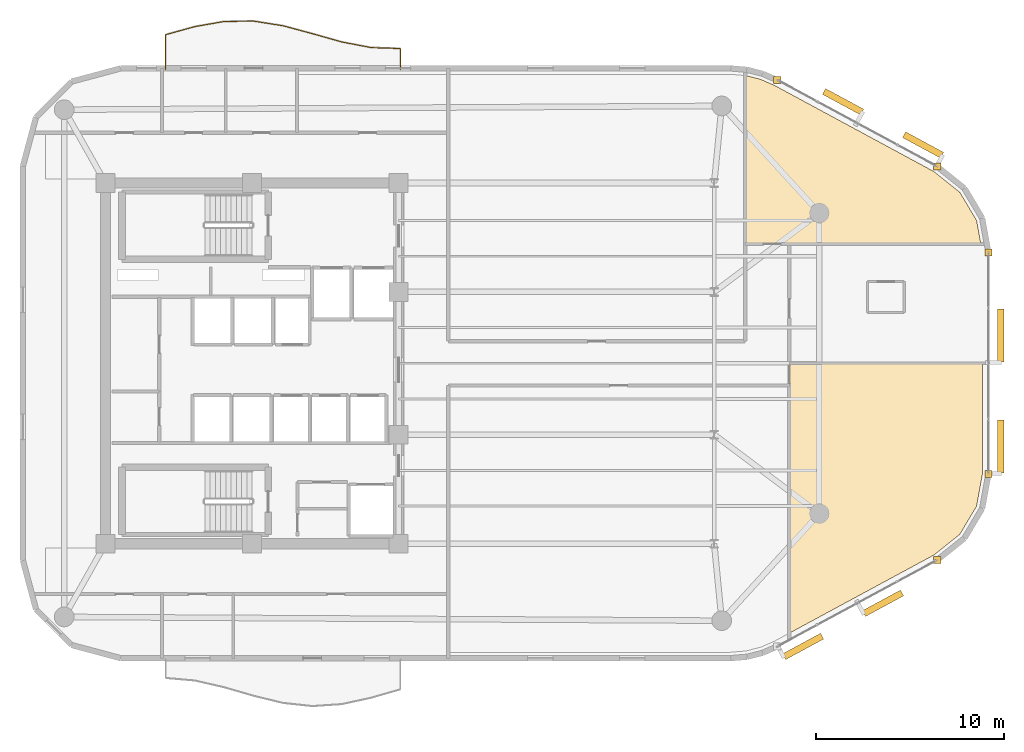
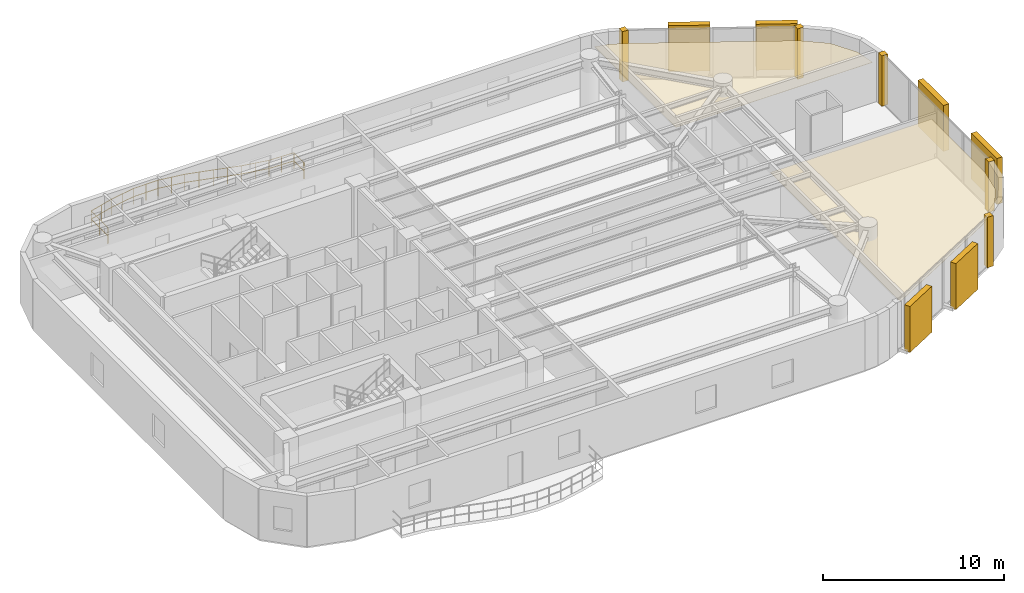
# One storey, part 13 of 13: 7 coverings, 6 shading devices, 1 railing.
"""IFC4 building model written with IfcOpenShell, lengths in metres."""

from ifc_helpers import new_model, si_unit, direction, frame, origin, origin_2d, place, context, subcontext, project, spatial, polyline, rectangle, circle, outline, extrude, material, layer, layer_set, type_object, element, save


model = new_model("IFC4")

# Units and contexts
model_context = context("Model", 3, precision=1e-05, world=origin(), true_north=direction((0.0, 1.0)))
body_context = subcontext(model_context, "Body", "Model", "MODEL_VIEW")
ifc_project = project(units=[si_unit("LENGTHUNIT", "METRE"), si_unit("AREAUNIT", "SQUARE_METRE"), si_unit("VOLUMEUNIT", "CUBIC_METRE"), si_unit("PLANEANGLEUNIT", "RADIAN"), si_unit("MASSUNIT", "GRAM", prefix="KILO")], contexts=[model_context])

# Site, building, storey
site_placement = place(None, origin())
site = spatial("IfcSite", under=ifc_project, at=site_placement, CompositionType="ELEMENT")
building_placement = place(site_placement, origin())
building = spatial("IfcBuilding", under=site, at=building_placement, Name="An Khanh Terracotta Commons", CompositionType="ELEMENT")
storey_placement = place(building_placement, frame((0.0, 0.0, 201.300048828125)))
storey = spatial("IfcBuildingStorey", under=building, at=storey_placement, Name="L52", CompositionType="ELEMENT", Elevation=201.300048828125)

# Coverings
ifc_material_1 = material(Name="Perforated Mineral-Fibre Acoustic Tile")
ifc_layer_1 = layer(ifc_material_1, 0.02001953125, Name="Perforated Mineral-Fibre Acoustic Tile")
ifc_layer_set_1 = layer_set([ifc_layer_1], Name="Perforated Mineral-Fibre Acoustic Tile")
covering_type_1 = type_object("IfcCoveringType", Name="CEIL-ACOUSTIC-18", PredefinedType="CEILING", material=ifc_layer_set_1)
covering_1_placement = place(storey_placement, frame((0.0, 0.0, 2.64990234375)))
element("IfcCovering", 1, at=covering_1_placement, inside=storey, type_object=covering_type_1, Name="L52 Collaborative Study Lounge Ceiling", PredefinedType="CEILING", context=body_context, shape_type="SweptSolid", body=[
    extrude(outline(polyline([(55.68701171875, 39.31201171875), (56.467041015625, 39.114990234375), (57.217041015625, 38.787109375), (65.695068359375, 34.2060546875), (67.074951171875, 33.10205078125), (67.964111328125, 31.610107421875), (68.193115234375, 30.35009765625), (58.0, 30.35009765625), (55.64990234375, 30.35009765625), (55.64990234375, 39.31494140625), (55.68701171875, 39.31201171875)])), origin(), (0.0, 0.0, 1.0), 0.02001953125),
])
covering_2_placement = place(storey_placement, frame((0.0, 0.0, 2.64990234375)))
element("IfcCovering", 2, at=covering_2_placement, inside=storey, type_object=covering_type_1, Name="L52 Collaborative Study Lounge Ceiling", PredefinedType="CEILING", context=body_context, shape_type="SweptSolid", body=[
    extrude(outline(polyline([(68.280029296875, 18.1298828125), (67.964111328125, 16.389892578125), (67.074951171875, 14.89794921875), (65.695068359375, 13.7939453125), (58.0, 9.635986328125), (58.0, 22.820068359375), (58.0, 24.0), (68.280029296875, 24.0), (68.280029296875, 18.1298828125)])), origin(), (0.0, 0.0, 1.0), 0.02001953125),
])
ifc_material_2 = material(Name="Fired Terracotta Rainscreen Cladding", Category="masonry")
ifc_layer_2 = layer(ifc_material_2, 0.080078125, Name="Fired Terracotta Rainscreen Cladding")
ifc_layer_set_2 = layer_set([ifc_layer_2], Name="Fired Terracotta Rainscreen Cladding")
covering_type_2 = type_object("IfcCoveringType", Name="COV-JAMB-TERRA", PredefinedType="CLADDING", material=ifc_layer_set_2)
for number, where, z_axis, x_axis, name in (
    (3, (65.8720703125, 13.52587890625, 0.0), (0.0, 0.0, 1.0), (1.0, 0.0, 0.0), "L52 CW-03 Curtain-Wall Jamb Closure JB"),
    (4, (68.60009765625, 18.10107421875, 0.0), (0.0, 0.0, 1.0), (1.0, 0.0, 0.0), "L52 CW-03 Curtain-Wall Jamb Closure JA"),
    (5, (68.60009765625, 29.89892578125, 0.0), (0.0, 0.0, 1.0), (1.0, 0.0, 0.0), "L52 CW-03 Curtain-Wall Jamb Closure JB"),
    (6, (65.8720703125, 34.47412109375, 0.0), (0.0, 0.0, 1.0), (1.0, 0.0, 0.0), "L52 CW-03 Curtain-Wall Jamb Closure JA"),
    (7, (57.35693359375, 39.074951171875, 0.0), (0.0, 0.0, 1.0), (1.0, 0.0, 0.0), "L52 CW-03 Curtain-Wall Jamb Closure JB"),
):
    element("IfcCovering", number, at=place(storey_placement, frame(where, z_axis=z_axis, x_axis=x_axis)), inside=storey, type_object=covering_type_2, Name=name, PredefinedType="CLADDING", context=body_context, shape_type="SweptSolid", body=[
        extrude(rectangle(XDim=0.3798828125, YDim=0.3798828125, at=origin_2d()), origin(), (0.0, 0.0, 1.0), 3.39990234375),
    ])

# Railing
ifc_material_3 = material(Name="Brushed Stainless Steel 316", Category="steel")
railing_type = type_object("IfcRailingType", Name="RAIL-BALUSTRADE-1100", PredefinedType="BALUSTRADE", material=ifc_material_3)
railing_placement = place(storey_placement, frame((37.300048828125, 39.639892578125, 0.0)))
element("IfcRailing", 8, at=railing_placement, inside=storey, type_object=railing_type, Name="L52 N Wave Balcony Guard Balustrade", PredefinedType="BALUSTRADE", context=body_context, shape_type="SweptSolid", body=[
    extrude(circle(Radius=0.02392578125, at=origin_2d()), frame((0.0, 0.0, 1.076171875), z_axis=(0.0, 1.0, 0.0), x_axis=(-1.0, 0.0, 0.0)), (0.0, 0.0, 1.0), 1.114013671875),
    extrude(circle(Radius=0.02392578125, at=origin_2d()), frame((0.0, 0.0, 0.52587890625), z_axis=(0.0, 1.0, 0.0), x_axis=(-1.0, 0.0, 0.0)), (0.0, 0.0, 1.0), 1.114013671875),
    extrude(circle(Radius=0.02392578125, at=origin_2d()), frame((0.0, 1.114013671875, 1.076171875), z_axis=(-0.999487713911, 0.032004839324, 0.0), x_axis=(-0.032004839324, -0.999487713911, 0.0)), (0.0, 0.0, 1.0), 1.563720703125),
    extrude(circle(Radius=0.02392578125, at=origin_2d()), frame((0.0, 1.114013671875, 0.52587890625), z_axis=(-0.999487713911, 0.032004839324, 0.0), x_axis=(-0.032004839324, -0.999487713911, 0.0)), (0.0, 0.0, 1.0), 1.563720703125),
    extrude(circle(Radius=0.02392578125, at=origin_2d()), frame((-1.56298828125, 1.1640625, 1.076171875), z_axis=(-0.982045838822, 0.188642440749, 0.0), x_axis=(-0.188642440749, -0.982045838822, 0.0)), (0.0, 0.0, 1.0), 1.590576171875),
    extrude(circle(Radius=0.02392578125, at=origin_2d()), frame((-1.56298828125, 1.1640625, 0.52587890625), z_axis=(-0.982045838822, 0.188642440749, 0.0), x_axis=(-0.188642440749, -0.982045838822, 0.0)), (0.0, 0.0, 1.0), 1.590576171875),
    extrude(circle(Radius=0.02392578125, at=origin_2d()), frame((-3.125, 1.464111328125, 1.076171875), z_axis=(-0.962437589726, 0.271503012659, 0.0), x_axis=(-0.271503012659, -0.962437589726, 0.0)), (0.0, 0.0, 1.0), 1.6240234375),
    extrude(circle(Radius=0.02392578125, at=origin_2d()), frame((-3.125, 1.464111328125, 0.52587890625), z_axis=(-0.962437589726, 0.271503012659, 0.0), x_axis=(-0.271503012659, -0.962437589726, 0.0)), (0.0, 0.0, 1.0), 1.6240234375),
    extrude(circle(Radius=0.02392578125, at=origin_2d()), frame((-4.68798828125, 1.905029296875, 1.076171875), z_axis=(-0.965522444403, 0.260319821287, 0.0), x_axis=(-0.260319821287, -0.965522444403, 0.0)), (0.0, 0.0, 1.0), 1.61767578125),
    extrude(circle(Radius=0.02392578125, at=origin_2d()), frame((-4.68798828125, 1.905029296875, 0.52587890625), z_axis=(-0.965522444403, 0.260319821287, 0.0), x_axis=(-0.260319821287, -0.965522444403, 0.0)), (0.0, 0.0, 1.0), 1.61767578125),
    extrude(circle(Radius=0.02392578125, at=origin_2d()), frame((-6.25, 2.326171875, 1.076171875), z_axis=(-0.987744181827, 0.156081489188, 0.0), x_axis=(-0.156081489188, -0.987744181827, 0.0)), (0.0, 0.0, 1.0), 1.581298828125),
    extrude(circle(Radius=0.02392578125, at=origin_2d()), frame((-6.25, 2.326171875, 0.52587890625), z_axis=(-0.987744181827, 0.156081489188, 0.0), x_axis=(-0.156081489188, -0.987744181827, 0.0)), (0.0, 0.0, 1.0), 1.581298828125),
    extrude(circle(Radius=0.02392578125, at=origin_2d()), frame((-7.81201171875, 2.572998046875, 1.076171875), z_axis=(-0.99994192369, -0.010777255972, 0.0), x_axis=(0.010777255972, -0.99994192369, 0.0)), (0.0, 0.0, 1.0), 1.56298828125),
    extrude(circle(Radius=0.02392578125, at=origin_2d()), frame((-7.81201171875, 2.572998046875, 0.52587890625), z_axis=(-0.99994192369, -0.010777255972, 0.0), x_axis=(0.010777255972, -0.99994192369, 0.0)), (0.0, 0.0, 1.0), 1.56298828125),
    extrude(circle(Radius=0.02392578125, at=origin_2d()), frame((-9.375, 2.55615234375, 1.076171875), z_axis=(-0.984968974178, -0.172731351833, 0.0), x_axis=(0.172731351833, -0.984968974178, 0.0)), (0.0, 0.0, 1.0), 1.5859375),
    extrude(circle(Radius=0.02392578125, at=origin_2d()), frame((-9.375, 2.55615234375, 0.52587890625), z_axis=(-0.984968974178, -0.172731351833, 0.0), x_axis=(0.172731351833, -0.984968974178, 0.0)), (0.0, 0.0, 1.0), 1.5859375),
    extrude(circle(Radius=0.02392578125, at=origin_2d()), frame((-10.93701171875, 2.2822265625, 1.076171875), z_axis=(-0.963840743753, -0.266478931028, 0.0), x_axis=(0.266478931028, -0.963840743753, 0.0)), (0.0, 0.0, 1.0), 1.62158203125),
    extrude(circle(Radius=0.02392578125, at=origin_2d()), frame((-10.93701171875, 2.2822265625, 0.52587890625), z_axis=(-0.963840743753, -0.266478931028, 0.0), x_axis=(0.266478931028, -0.963840743753, 0.0)), (0.0, 0.0, 1.0), 1.62158203125),
    extrude(circle(Radius=0.02392578125, at=origin_2d()), frame((-12.5, 1.85009765625, 1.076171875), z_axis=(0.0, -1.0, 0.0), x_axis=(1.0, 0.0, 0.0)), (0.0, 0.0, 1.0), 1.85009765625),
    extrude(circle(Radius=0.02392578125, at=origin_2d()), frame((-12.5, 1.85009765625, 0.52587890625), z_axis=(0.0, -1.0, 0.0), x_axis=(1.0, 0.0, 0.0)), (0.0, 0.0, 1.0), 1.85009765625),
    extrude(circle(Radius=0.02099609375, at=origin_2d()), origin(), (0.0, 0.0, 1.0), 1.052001953125),
    extrude(circle(Radius=0.02099609375, at=origin_2d()), frame((0.0, 1.114013671875, 0.0)), (0.0, 0.0, 1.0), 1.052001953125),
    extrude(circle(Radius=0.02099609375, at=origin_2d()), frame((-0.781494140625, 1.13916015625, 0.0)), (0.0, 0.0, 1.0), 1.052001953125),
    extrude(circle(Radius=0.02099609375, at=origin_2d()), frame((-1.56298828125, 1.1640625, 0.0)), (0.0, 0.0, 1.0), 1.052001953125),
    extrude(circle(Radius=0.02099609375, at=origin_2d()), frame((-2.343994140625, 1.31396484375, 0.0)), (0.0, 0.0, 1.0), 1.052001953125),
    extrude(circle(Radius=0.02099609375, at=origin_2d()), frame((-3.125, 1.464111328125, 0.0)), (0.0, 0.0, 1.0), 1.052001953125),
    extrude(circle(Radius=0.02099609375, at=origin_2d()), frame((-3.906494140625, 1.6845703125, 0.0)), (0.0, 0.0, 1.0), 1.052001953125),
    extrude(circle(Radius=0.02099609375, at=origin_2d()), frame((-4.68798828125, 1.905029296875, 0.0)), (0.0, 0.0, 1.0), 1.052001953125),
    extrude(circle(Radius=0.02099609375, at=origin_2d()), frame((-5.468994140625, 2.11572265625, 0.0)), (0.0, 0.0, 1.0), 1.052001953125),
    extrude(circle(Radius=0.02099609375, at=origin_2d()), frame((-6.25, 2.326171875, 0.0)), (0.0, 0.0, 1.0), 1.052001953125),
    extrude(circle(Radius=0.02099609375, at=origin_2d()), frame((-7.031005859375, 2.44970703125, 0.0)), (0.0, 0.0, 1.0), 1.052001953125),
    extrude(circle(Radius=0.02099609375, at=origin_2d()), frame((-7.81201171875, 2.572998046875, 0.0)), (0.0, 0.0, 1.0), 1.052001953125),
    extrude(circle(Radius=0.02099609375, at=origin_2d()), frame((-8.593505859375, 2.564453125, 0.0)), (0.0, 0.0, 1.0), 1.052001953125),
    extrude(circle(Radius=0.02099609375, at=origin_2d()), frame((-9.375, 2.55615234375, 0.0)), (0.0, 0.0, 1.0), 1.052001953125),
    extrude(circle(Radius=0.02099609375, at=origin_2d()), frame((-10.156005859375, 2.419189453125, 0.0)), (0.0, 0.0, 1.0), 1.052001953125),
    extrude(circle(Radius=0.02099609375, at=origin_2d()), frame((-10.93701171875, 2.2822265625, 0.0)), (0.0, 0.0, 1.0), 1.052001953125),
    extrude(circle(Radius=0.02099609375, at=origin_2d()), frame((-11.718505859375, 2.066162109375, 0.0)), (0.0, 0.0, 1.0), 1.052001953125),
    extrude(circle(Radius=0.02099609375, at=origin_2d()), frame((-12.5, 1.85009765625, 0.0)), (0.0, 0.0, 1.0), 1.052001953125),
    extrude(circle(Radius=0.02099609375, at=origin_2d()), frame((-12.5, 0.925048828125, 0.0)), (0.0, 0.0, 1.0), 1.052001953125),
    extrude(circle(Radius=0.02099609375, at=origin_2d()), frame((-12.5, 0.0, 0.0)), (0.0, 0.0, 1.0), 1.052001953125),
])

# Shading devices
ifc_material_4 = material(Name="Extruded Fired Terracotta", Category="masonry")
shading_device_type = type_object("IfcShadingDeviceType", Name="Terracotta Baguette Screen Assembly", PredefinedType="USERDEFINED", material=ifc_material_4)
for number, where, z_axis, x_axis, name in (
    (9, (58.72998046875, 8.927978515625, 0.14990234375), (0.0, 0.0, 1.0), (0.879780095306, 0.47538088298, 0.0), "L52 Terracotta Baguette Screen 1"),
    (10, (62.988037109375, 11.22900390625, 0.14990234375), (0.0, 0.0, 1.0), (0.879780095306, 0.47538088298, 0.0), "L52 Terracotta Baguette Screen 3"),
):
    element("IfcShadingDevice", number, at=place(storey_placement, frame(where, z_axis=z_axis, x_axis=x_axis)), inside=storey, type_object=shading_device_type, Name=name, ObjectType="BAGUETTE", PredefinedType="USERDEFINED", context=body_context, shape_type="SweptSolid", body=[
        extrude(rectangle(XDim=2.300048828125, YDim=0.35009765625, at=origin_2d()), origin(), (0.0, 0.0, 1.0), 3.10009765625),
    ])
for number, where, z_axis, x_axis, name in (
    (11, (69.25, 19.575927734375, 0.14990234375), (0.0, 0.0, 1.0), (0.0, 1.0, 0.0), "L52 Terracotta Baguette Screen 1"),
    (12, (69.25, 25.47509765625, 0.14990234375), (0.0, 0.0, 1.0), (0.0, 1.0, 0.0), "L52 Terracotta Baguette Screen 3"),
):
    element("IfcShadingDevice", number, at=place(storey_placement, frame(where, z_axis=z_axis, x_axis=x_axis)), inside=storey, type_object=shading_device_type, Name=name, ObjectType="BAGUETTE", PredefinedType="USERDEFINED", context=body_context, shape_type="SweptSolid", body=[
        extrude(rectangle(XDim=2.830078125, YDim=0.35009765625, at=origin_2d()), origin(), (0.0, 0.0, 1.0), 3.10009765625),
    ])
for number, where, z_axis, x_axis, name in (
    (13, (65.116943359375, 35.62109375, 0.14990234375), (0.0, 0.0, 1.0), (-0.879780095306, 0.47538088298, 0.0), "L52 Terracotta Baguette Screen 1"),
    (14, (60.85888671875, 37.9208984375, 0.14990234375), (0.0, 0.0, 1.0), (-0.879780095306, 0.47538088298, 0.0), "L52 Terracotta Baguette Screen 3"),
):
    element("IfcShadingDevice", number, at=place(storey_placement, frame(where, z_axis=z_axis, x_axis=x_axis)), inside=storey, type_object=shading_device_type, Name=name, ObjectType="BAGUETTE", PredefinedType="USERDEFINED", context=body_context, shape_type="SweptSolid", body=[
        extrude(rectangle(XDim=2.300048828125, YDim=0.35009765625, at=origin_2d()), origin(), (0.0, 0.0, 1.0), 3.10009765625),
    ])

save(model, "model.ifc")
